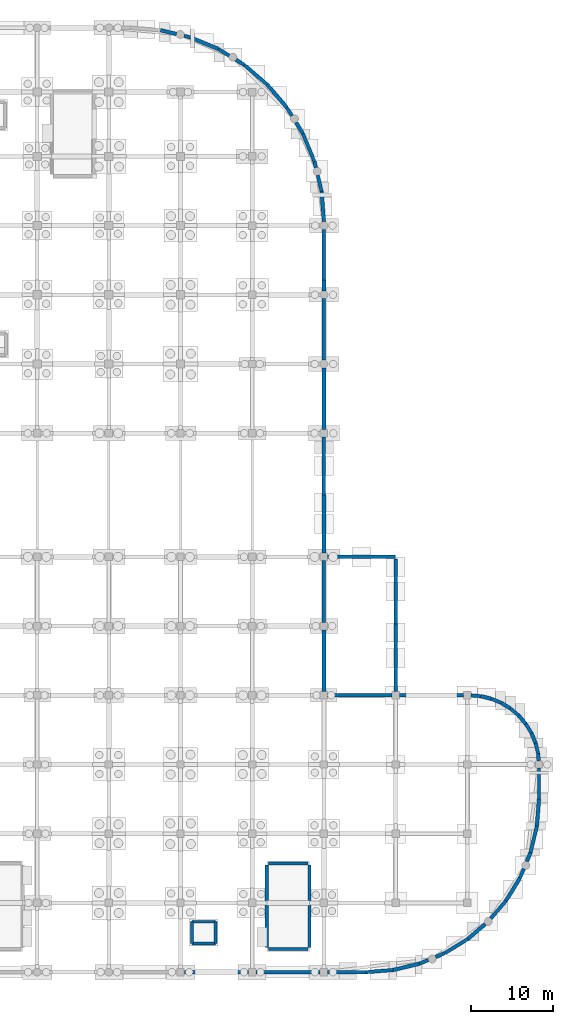
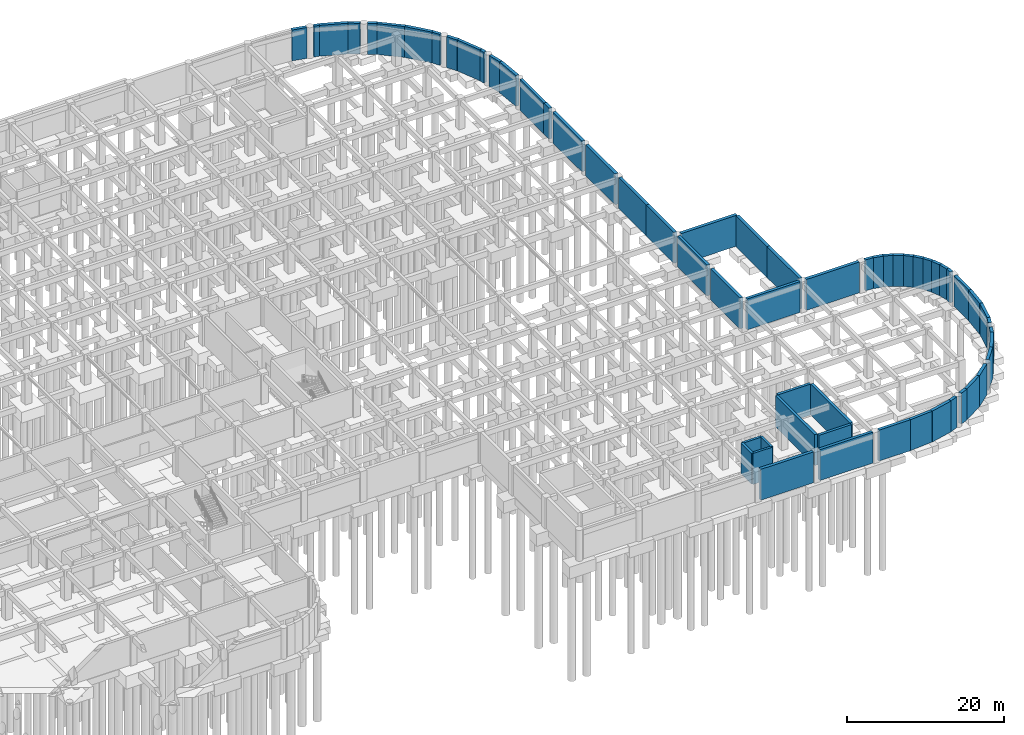
# One storey, part 28 of 33: 60 walls.
"""IFC4 building model written with IfcOpenShell, lengths in metres."""

from ifc_helpers import new_model, si_unit, derived_unit, direction, frame, frame_2d, origin, place, context, subcontext, project, spatial, rectangle, extrude, material, layer, layer_set, type_object, element, save


model = new_model("IFC4")

# Units and contexts
model_context = context("Model", 3, precision=1e-05, world=origin(), true_north=direction((0.0, 1.0)))
body_context = subcontext(model_context, "Body", "Model", "MODEL_VIEW")
ifc_project = project(units=[si_unit("LENGTHUNIT", "METRE"), si_unit("AREAUNIT", "SQUARE_METRE"), si_unit("VOLUMEUNIT", "CUBIC_METRE"), si_unit("PLANEANGLEUNIT", "RADIAN"), si_unit("MASSUNIT", "GRAM", prefix="KILO"), derived_unit("THERMALTRANSMITTANCEUNIT", [(si_unit("MASSUNIT", "GRAM", prefix="KILO"), 1), (si_unit("TIMEUNIT", "SECOND"), -3), (si_unit("THERMODYNAMICTEMPERATUREUNIT", "KELVIN"), -1)])], contexts=[model_context])

# Site, building, storey
site_placement = place(None, origin())
site = spatial("IfcSite", under=ifc_project, at=site_placement, CompositionType="ELEMENT")
building_placement = place(site_placement, origin())
building = spatial("IfcBuilding", under=site, at=building_placement, Name="Qinzheling Arcade Emporium", CompositionType="ELEMENT")
storey_placement = place(building_placement, frame((0.0, 0.0, -9.60009765625)))
storey = spatial("IfcBuildingStorey", under=building, at=storey_placement, Name="B2", CompositionType="ELEMENT", Elevation=-9.60009765625)

# Walls
ifc_material_1 = material(Name="Concrete C40", Category="concrete")
ifc_layer_1 = layer(ifc_material_1, 0.419921875, Name="Concrete C40", Category="concrete")
ifc_layer_set_1 = layer_set([ifc_layer_1], Name="Concrete C40")
wall_type_1 = type_object("IfcWallType", Name="Basement Ramp Retaining Wall 420 C40", PredefinedType="USERDEFINED", material=ifc_layer_set_1)
wall_1_placement = place(storey_placement, frame((130.930908203125, 113.6259765625, 0.0), z_axis=(0.0, 0.0, 1.0), x_axis=(0.972225005053, -0.234048156475, 0.0)))
element("IfcWall", 1, at=wall_1_placement, inside=storey, type_object=wall_type_1, Name="Retaining Wall WL-B2-RW-074", ObjectType="RETAININGWALL", PredefinedType="USERDEFINED", context=body_context, shape_type="SweptSolid", body=[
    extrude(rectangle(XDim=0.752197265625, YDim=0.419921875, at=frame_2d((0.3759765625, 0.0))), origin(), (0.0, 0.0, 1.0), 4.800048828125),
])
wall_2_placement = place(storey_placement, frame((135.069091796875, 112.0390625, 0.0), z_axis=(0.0, 0.0, 1.0), x_axis=(0.852643675321, -0.522492835296, 0.0)))
element("IfcWall", 2, at=wall_2_placement, inside=storey, type_object=wall_type_1, Name="Retaining Wall WL-B2-RW-076", ObjectType="RETAININGWALL", PredefinedType="USERDEFINED", context=body_context, shape_type="SweptSolid", body=[
    extrude(rectangle(XDim=1.5712890625, YDim=0.419921875, at=frame_2d((0.78564453125, 0.0))), origin(), (0.0, 0.0, 1.0), 4.800048828125),
])
wall_3_placement = place(storey_placement, frame((138.212890625, 110.112060546875, 0.0), z_axis=(0.0, 0.0, 1.0), x_axis=(0.76040500941, -0.649449167883, 0.0)))
element("IfcWall", 3, at=wall_3_placement, inside=storey, type_object=wall_type_1, Name="Retaining Wall WL-B2-RW-078", ObjectType="RETAININGWALL", PredefinedType="USERDEFINED", context=body_context, shape_type="SweptSolid", body=[
    extrude(rectangle(XDim=3.687744140625, YDim=0.419921875, at=frame_2d((1.84375, 0.0))), origin(), (0.0, 0.0, 1.0), 4.800048828125),
])
wall_4_placement = place(storey_placement, frame((143.412109375, 104.9130859375, 0.0), z_axis=(0.0, 0.0, 1.0), x_axis=(0.522665585531, -0.852537791363, 0.0)))
element("IfcWall", 4, at=wall_4_placement, inside=storey, type_object=wall_type_1, Name="Retaining Wall WL-B2-RW-080", ObjectType="RETAININGWALL", PredefinedType="USERDEFINED", context=body_context, shape_type="SweptSolid", body=[
    extrude(rectangle(XDim=1.1611328125, YDim=0.419921875, at=frame_2d((0.58056640625, 0.0))), origin(), (0.0, 0.0, 1.0), 4.800048828125),
])
wall_5_placement = place(storey_placement, frame((145.339111328125, 101.76904296875, 0.0), z_axis=(0.0, 0.0, 1.0), x_axis=(0.382607126693, -0.923911135664, 0.0)))
element("IfcWall", 5, at=wall_5_placement, inside=storey, type_object=wall_type_1, Name="Retaining Wall WL-B2-RW-082", ObjectType="RETAININGWALL", PredefinedType="USERDEFINED", context=body_context, shape_type="SweptSolid", body=[
    extrude(rectangle(XDim=3.6875, YDim=0.419921875, at=frame_2d((1.84375, 0.0))), origin(), (0.0, 0.0, 1.0), 4.800048828125),
])
wall_6_placement = place(storey_placement, frame((147.14794921875, 96.702880859375, 0.0), z_axis=(0.0, 0.0, 1.0), x_axis=(0.2336851003, -0.972312333511, 0.0)))
element("IfcWall", 6, at=wall_6_placement, inside=storey, type_object=wall_type_1, Name="Retaining Wall WL-B2-RW-084", ObjectType="RETAININGWALL", PredefinedType="USERDEFINED", context=body_context, shape_type="SweptSolid", body=[
    extrude(rectangle(XDim=1.98193359375, YDim=0.419921875, at=frame_2d((0.990966796875, 0.0))), origin(), (0.0, 0.0, 1.0), 4.800048828125),
])
wall_7_placement = place(storey_placement, frame((147.89990234375, 90.123046875, 0.0), z_axis=(0.0, 0.0, 1.0), x_axis=(0.0, -1.0, 0.0)))
element("IfcWall", 7, at=wall_7_placement, inside=storey, type_object=wall_type_1, Name="Retaining Wall WL-B2-RW-086", ObjectType="RETAININGWALL", PredefinedType="USERDEFINED", context=body_context, shape_type="SweptSolid", body=[
    extrude(rectangle(XDim=6.123046875, YDim=0.419921875, at=frame_2d((3.0615234375, 0.0))), origin(), (0.0, 0.0, 1.0), 4.800048828125),
])
wall_8_placement = place(storey_placement, frame((147.89990234375, 81.722900390625, 0.0), z_axis=(0.0, 0.0, 1.0), x_axis=(0.0, -1.0, 0.0)))
element("IfcWall", 8, at=wall_8_placement, inside=storey, type_object=wall_type_1, Name="Retaining Wall WL-B2-RW-088", ObjectType="RETAININGWALL", PredefinedType="USERDEFINED", context=body_context, shape_type="SweptSolid", body=[
    extrude(rectangle(XDim=7.44580078125, YDim=0.419921875, at=frame_2d((3.722900390625, 0.0))), origin(), (0.0, 0.0, 1.0), 4.800048828125),
])
wall_9_placement = place(storey_placement, frame((147.89990234375, 64.947998046875, 0.0), z_axis=(0.0, 0.0, 1.0), x_axis=(0.0, -1.0, 0.0)))
element("IfcWall", 9, at=wall_9_placement, inside=storey, type_object=wall_type_1, Name="Retaining Wall WL-B2-RW-090", ObjectType="RETAININGWALL", PredefinedType="USERDEFINED", context=body_context, shape_type="SweptSolid", body=[
    extrude(rectangle(XDim=7.0458984375, YDim=0.419921875, at=frame_2d((3.52294921875, 0.0))), origin(), (0.0, 0.0, 1.0), 4.800048828125),
])
wall_10_placement = place(storey_placement, frame((147.89990234375, 49.947998046875, 0.0), z_axis=(0.0, 0.0, 1.0), x_axis=(0.0, -1.0, 0.0)))
element("IfcWall", 10, at=wall_10_placement, inside=storey, type_object=wall_type_1, Name="Retaining Wall WL-B2-RW-092", ObjectType="RETAININGWALL", PredefinedType="USERDEFINED", context=body_context, shape_type="SweptSolid", body=[
    extrude(rectangle(XDim=7.49609375, YDim=0.419921875, at=frame_2d((3.748046875, 0.0))), origin(), (0.0, 0.0, 1.0), 4.800048828125),
])
wall_11_placement = place(storey_placement, frame((148.35205078125, 33.60009765625, 0.0), z_axis=(0.0, 0.0, 1.0), x_axis=(1.0, 0.0, 0.0)))
element("IfcWall", 11, at=wall_11_placement, inside=storey, type_object=wall_type_1, Name="Retaining Wall WL-B2-RW-094", ObjectType="RETAININGWALL", PredefinedType="USERDEFINED", context=body_context, shape_type="SweptSolid", body=[
    extrude(rectangle(XDim=7.7958984375, YDim=0.419921875, at=frame_2d((3.89794921875, 0.0))), origin(), (0.0, 0.0, 1.0), 4.800048828125),
])
wall_12_placement = place(storey_placement, frame((165.751953125, 33.587890625, 0.0), z_axis=(0.0, 0.0, 1.0), x_axis=(0.996960108053, -0.077913689117, 0.0)))
element("IfcWall", 12, at=wall_12_placement, inside=storey, type_object=wall_type_1, Name="Retaining Wall WL-B2-RW-096", ObjectType="RETAININGWALL", PredefinedType="USERDEFINED", context=body_context, shape_type="SweptSolid", body=[
    extrude(rectangle(XDim=1.165771484375, YDim=0.419921875, at=frame_2d((0.5830078125, 0.0))), origin(), (0.0, 0.0, 1.0), 4.800048828125),
])
for number, where, z_axis, x_axis, name in (
    (13, (168.196044921875, 33.18896484375, 0.0), (0.0, 0.0, 1.0), (0.923782055047, -0.382918679061, 0.0), "Retaining Wall WL-B2-RW-098"),
    (14, (170.537109375, 31.99609375, 0.0), (0.0, 0.0, 1.0), (0.760548893266, -0.649280664237, 0.0), "Retaining Wall WL-B2-RW-100"),
):
    element("IfcWall", number, at=place(storey_placement, frame(where, z_axis=z_axis, x_axis=x_axis)), inside=storey, type_object=wall_type_1, Name=name, ObjectType="RETAININGWALL", PredefinedType="USERDEFINED", context=body_context, shape_type="SweptSolid", body=[
        extrude(rectangle(XDim=1.318603515625, YDim=0.419921875, at=frame_2d((0.6591796875, 0.0))), origin(), (0.0, 0.0, 1.0), 4.800048828125),
    ])
wall_13_placement = place(storey_placement, frame((172.39599609375, 30.136962890625, 0.0), z_axis=(0.0, 0.0, 1.0), x_axis=(0.522379477954, -0.852713129378, 0.0)))
element("IfcWall", 15, at=wall_13_placement, inside=storey, type_object=wall_type_1, Name="Retaining Wall WL-B2-RW-102", ObjectType="RETAININGWALL", PredefinedType="USERDEFINED", context=body_context, shape_type="SweptSolid", body=[
    extrude(rectangle(XDim=1.317138671875, YDim=0.419921875, at=frame_2d((0.65869140625, 0.0))), origin(), (0.0, 0.0, 1.0), 4.800048828125),
])
wall_14_placement = place(storey_placement, frame((173.589111328125, 27.7958984375, 0.0), z_axis=(0.0, 0.0, 1.0), x_axis=(0.233506018754, -0.972355356444, 0.0)))
element("IfcWall", 16, at=wall_14_placement, inside=storey, type_object=wall_type_1, Name="Retaining Wall WL-B2-RW-104", ObjectType="RETAININGWALL", PredefinedType="USERDEFINED", context=body_context, shape_type="SweptSolid", body=[
    extrude(rectangle(XDim=1.318359375, YDim=0.419921875, at=frame_2d((0.6591796875, 0.0))), origin(), (0.0, 0.0, 1.0), 4.800048828125),
])
wall_15_placement = place(storey_placement, frame((174.0, 24.748046875, 0.0), z_axis=(0.0, 0.0, 1.0), x_axis=(0.0, -1.0, 0.0)))
element("IfcWall", 17, at=wall_15_placement, inside=storey, type_object=wall_type_1, Name="Retaining Wall WL-B2-RW-106", ObjectType="RETAININGWALL", PredefinedType="USERDEFINED", context=body_context, shape_type="SweptSolid", body=[
    extrude(rectangle(XDim=3.748046875, YDim=0.419921875, at=frame_2d((1.8740234375, 0.0))), origin(), (0.0, 0.0, 1.0), 4.800048828125),
])
wall_16_placement = place(storey_placement, frame((173.740966796875, 17.715087890625, 0.0), z_axis=(0.0, 0.0, 1.0), x_axis=(-0.233389766054, -0.972383266568, 0.0)))
element("IfcWall", 18, at=wall_16_placement, inside=storey, type_object=wall_type_1, Name="Retaining Wall WL-B2-RW-108", ObjectType="RETAININGWALL", PredefinedType="USERDEFINED", context=body_context, shape_type="SweptSolid", body=[
    extrude(rectangle(XDim=3.295166015625, YDim=0.419921875, at=frame_2d((1.6474609375, 0.0))), origin(), (0.0, 0.0, 1.0), 4.800048828125),
])
wall_17_placement = place(storey_placement, frame((172.158935546875, 12.548095703125, 0.0), z_axis=(0.0, 0.0, 1.0), x_axis=(-0.382542052981, -0.923938081097, 0.0)))
element("IfcWall", 19, at=wall_17_placement, inside=storey, type_object=wall_type_1, Name="Retaining Wall WL-B2-RW-110", ObjectType="RETAININGWALL", PredefinedType="USERDEFINED", context=body_context, shape_type="SweptSolid", body=[
    extrude(rectangle(XDim=1.171142578125, YDim=0.419921875, at=frame_2d((0.58544921875, 0.0))), origin(), (0.0, 0.0, 1.0), 4.800048828125),
])
wall_18_placement = place(storey_placement, frame((169.989013671875, 8.656982421875, 0.0), z_axis=(0.0, 0.0, 1.0), x_axis=(-0.649391930652, -0.760453891044, 0.0)))
element("IfcWall", 20, at=wall_18_placement, inside=storey, type_object=wall_type_1, Name="Retaining Wall WL-B2-RW-112", ObjectType="RETAININGWALL", PredefinedType="USERDEFINED", context=body_context, shape_type="SweptSolid", body=[
    extrude(rectangle(XDim=2.818115234375, YDim=0.419921875, at=frame_2d((1.4091796875, 0.0))), origin(), (0.0, 0.0, 1.0), 4.800048828125),
])
wall_19_placement = place(storey_placement, frame((165.343017578125, 4.010986328125, 0.0), z_axis=(0.0, 0.0, 1.0), x_axis=(-0.852570367458, -0.522612445827, 0.0)))
element("IfcWall", 21, at=wall_19_placement, inside=storey, type_object=wall_type_1, Name="Retaining Wall WL-B2-RW-114", ObjectType="RETAININGWALL", PredefinedType="USERDEFINED", context=body_context, shape_type="SweptSolid", body=[
    extrude(rectangle(XDim=3.294921875, YDim=0.419921875, at=frame_2d((1.6474609375, 0.0))), origin(), (0.0, 0.0, 1.0), 4.800048828125),
])
wall_20_placement = place(storey_placement, frame((160.571044921875, 1.47607421875, 0.0), z_axis=(0.0, 0.0, 1.0), x_axis=(-0.923938081097, -0.382542052981, 0.0)))
element("IfcWall", 22, at=wall_20_placement, inside=storey, type_object=wall_type_1, Name="Retaining Wall WL-B2-RW-116", ObjectType="RETAININGWALL", PredefinedType="USERDEFINED", context=body_context, shape_type="SweptSolid", body=[
    extrude(rectangle(XDim=1.171142578125, YDim=0.419921875, at=frame_2d((0.58544921875, 0.0))), origin(), (0.0, 0.0, 1.0), 4.800048828125),
])
wall_21_placement = place(storey_placement, frame((156.284912109375, 0.259033203125, 0.0), z_axis=(0.0, 0.0, 1.0), x_axis=(-0.996905334408, -0.078611412843, 0.0)))
element("IfcWall", 23, at=wall_21_placement, inside=storey, type_object=wall_type_1, Name="Retaining Wall WL-B2-RW-118", ObjectType="RETAININGWALL", PredefinedType="USERDEFINED", context=body_context, shape_type="SweptSolid", body=[
    extrude(rectangle(XDim=3.295166015625, YDim=0.419921875, at=frame_2d((1.6474609375, 0.0))), origin(), (0.0, 0.0, 1.0), 4.800048828125),
])
wall_22_placement = place(storey_placement, frame((147.447998046875, 0.0, 0.0), z_axis=(0.0, 0.0, 1.0), x_axis=(-1.0, 0.0, 0.0)))
element("IfcWall", 24, at=wall_22_placement, inside=storey, type_object=wall_type_1, Name="Retaining Wall WL-B2-RW-120", ObjectType="RETAININGWALL", PredefinedType="USERDEFINED", context=body_context, shape_type="SweptSolid", body=[
    extrude(rectangle(XDim=7.7958984375, YDim=0.419921875, at=frame_2d((3.89794921875, 0.0))), origin(), (0.0, 0.0, 1.0), 4.800048828125),
])
ifc_layer_2 = layer(ifc_material_1, 0.35009765625, Name="Concrete C40", Category="concrete")
ifc_layer_set_2 = layer_set([ifc_layer_2], Name="Concrete C40")
wall_type_2 = type_object("IfcWallType", Name="RC Lift Shaft Shear Wall 350 C40", PredefinedType="SHEAR", material=ifc_layer_set_2)
for number, where, z_axis, x_axis, name in (
    (25, (131.875, 6.125, 0.0), (0.0, 0.0, 1.0), (1.0, 0.0, 0.0), "Lift Shaft Wall WL-B2-LFT-LP05-N"),
    (26, (134.72509765625, 3.47509765625, 0.0), (0.0, 0.0, 1.0), (-1.0, 0.0, 0.0), "Lift Shaft Wall WL-B2-LFT-LP05-S"),
):
    element("IfcWall", number, at=place(storey_placement, frame(where, z_axis=z_axis, x_axis=x_axis)), inside=storey, type_object=wall_type_2, Name=name, PredefinedType="SHEAR", context=body_context, shape_type="SweptSolid", body=[
        extrude(rectangle(XDim=2.85009765625, YDim=0.35009765625, at=frame_2d((1.425048828125, 0.0))), origin(), (0.0, 0.0, 1.0), 4.800048828125),
    ])
for number, where, z_axis, x_axis, name in (
    (27, (131.875, 3.47509765625, 0.0), (0.0, 0.0, 1.0), (0.0, 1.0, 0.0), "Lift Shaft Wall WL-B2-LFT-LP05-W"),
    (28, (134.72509765625, 6.125, 0.0), (0.0, 0.0, 1.0), (0.0, -1.0, 0.0), "Lift Shaft Wall WL-B2-LFT-LP05-E"),
):
    element("IfcWall", number, at=place(storey_placement, frame(where, z_axis=z_axis, x_axis=x_axis)), inside=storey, type_object=wall_type_2, Name=name, PredefinedType="SHEAR", context=body_context, shape_type="SweptSolid", body=[
        extrude(rectangle(XDim=2.64990234375, YDim=0.35009765625, at=frame_2d((1.324951171875, 0.0))), origin(), (0.0, 0.0, 1.0), 4.800048828125),
    ])
ifc_material_2 = material(Name="Concrete C50", Category="concrete")
ifc_layer_3 = layer(ifc_material_2, 0.39990234375, Name="Concrete C50", Category="concrete")
ifc_layer_set_3 = layer_set([ifc_layer_3], Name="Concrete C50")
wall_type_3 = type_object("IfcWallType", Name="RC Stair Core Shear Wall 400 C50", PredefinedType="SHEAR", material=ifc_layer_set_3)
for number, where, z_axis, x_axis, name in (
    (29, (140.955078125, 3.0, 0.0), (0.0, 0.0, 1.0), (0.0, 1.0, 0.0), "Stair Core Wall WL-B2-ST06-WEST"),
    (30, (146.14501953125, 13.0, 0.0), (0.0, 0.0, 1.0), (0.0, -1.0, 0.0), "Stair Core Wall WL-B2-ST06-EAST"),
):
    element("IfcWall", number, at=place(storey_placement, frame(where, z_axis=z_axis, x_axis=x_axis)), inside=storey, type_object=wall_type_3, Name=name, PredefinedType="SHEAR", context=body_context, shape_type="SweptSolid", body=[
        extrude(rectangle(XDim=10.0, YDim=0.39990234375, at=frame_2d((5.0, 0.0))), origin(), (0.0, 0.0, 1.0), 4.800048828125),
    ])
for number, where, z_axis, x_axis, name in (
    (31, (145.945068359375, 2.800048828125, 0.0), (0.0, 0.0, 1.0), (-1.0, 0.0, 0.0), "Stair Core Wall WL-B2-ST06-SOUTH"),
    (32, (141.155029296875, 13.199951171875, 0.0), (0.0, 0.0, 1.0), (1.0, 0.0, 0.0), "Stair Core Wall WL-B2-ST06-NORTH"),
):
    element("IfcWall", number, at=place(storey_placement, frame(where, z_axis=z_axis, x_axis=x_axis)), inside=storey, type_object=wall_type_3, Name=name, PredefinedType="SHEAR", context=body_context, shape_type="SweptSolid", body=[
        extrude(rectangle(XDim=4.7900390625, YDim=0.39990234375, at=frame_2d((2.39501953125, 0.0))), origin(), (0.0, 0.0, 1.0), 4.800048828125),
    ])
ifc_layer_4 = layer(ifc_material_1, 0.449951171875, Name="Concrete C40", Category="concrete")
ifc_layer_set_4 = layer_set([ifc_layer_4], Name="Concrete C40")
wall_type_4 = type_object("IfcWallType", Name="Waterproof Basement Retaining Wall 450 C40", PredefinedType="USERDEFINED", material=ifc_layer_set_4)
wall_23_placement = place(storey_placement, frame((128.075927734375, 114.31103515625, 0.0), z_axis=(0.0, 0.0, 1.0), x_axis=(0.972312333511, -0.2336851003, 0.0)))
element("IfcWall", 33, at=wall_23_placement, inside=storey, type_object=wall_type_4, Name="Retaining Wall WL-B2-RW-073", ObjectType="RETAININGWALL", PredefinedType="USERDEFINED", context=body_context, shape_type="SweptSolid", body=[
    extrude(rectangle(XDim=1.98193359375, YDim=0.449951171875, at=frame_2d((0.990966796875, 0.0))), origin(), (0.0, 0.0, 1.0), 4.800048828125),
])
wall_24_placement = place(storey_placement, frame((131.662109375, 113.449951171875, 0.0), z_axis=(0.0, 0.0, 1.0), x_axis=(0.923911135664, -0.382607126693, 0.0)))
element("IfcWall", 34, at=wall_24_placement, inside=storey, type_object=wall_type_4, Name="Retaining Wall WL-B2-RW-075", ObjectType="RETAININGWALL", PredefinedType="USERDEFINED", context=body_context, shape_type="SweptSolid", body=[
    extrude(rectangle(XDim=3.6875, YDim=0.449951171875, at=frame_2d((1.84375, 0.0))), origin(), (0.0, 0.0, 1.0), 4.800048828125),
])
wall_25_placement = place(storey_placement, frame((137.222900390625, 110.718994140625, 0.0), z_axis=(0.0, 0.0, 1.0), x_axis=(0.852537791363, -0.522665585531, 0.0)))
element("IfcWall", 35, at=wall_25_placement, inside=storey, type_object=wall_type_4, Name="Retaining Wall WL-B2-RW-077", ObjectType="RETAININGWALL", PredefinedType="USERDEFINED", context=body_context, shape_type="SweptSolid", body=[
    extrude(rectangle(XDim=1.1611328125, YDim=0.449951171875, at=frame_2d((0.58056640625, 0.0))), origin(), (0.0, 0.0, 1.0), 4.800048828125),
])
wall_26_placement = place(storey_placement, frame((141.01708984375, 107.717041015625, 0.0), z_axis=(0.0, 0.0, 1.0), x_axis=(0.649481862796, -0.760377084018, 0.0)))
element("IfcWall", 36, at=wall_26_placement, inside=storey, type_object=wall_type_4, Name="Retaining Wall WL-B2-RW-079", ObjectType="RETAININGWALL", PredefinedType="USERDEFINED", context=body_context, shape_type="SweptSolid", body=[
    extrude(rectangle(XDim=3.6875, YDim=0.449951171875, at=frame_2d((1.84375, 0.0))), origin(), (0.0, 0.0, 1.0), 4.800048828125),
])
wall_27_placement = place(storey_placement, frame((144.51806640625, 103.10888671875, 0.0), z_axis=(0.0, 0.0, 1.0), x_axis=(0.522492835296, -0.852643675321, 0.0)))
element("IfcWall", 37, at=wall_27_placement, inside=storey, type_object=wall_type_4, Name="Retaining Wall WL-B2-RW-081", ObjectType="RETAININGWALL", PredefinedType="USERDEFINED", context=body_context, shape_type="SweptSolid", body=[
    extrude(rectangle(XDim=1.5712890625, YDim=0.449951171875, at=frame_2d((0.78564453125, 0.0))), origin(), (0.0, 0.0, 1.0), 4.800048828125),
])
wall_28_placement = place(storey_placement, frame((146.75, 98.362060546875, 0.0), z_axis=(0.0, 0.0, 1.0), x_axis=(0.234122044674, -0.97220721464, 0.0)))
element("IfcWall", 38, at=wall_28_placement, inside=storey, type_object=wall_type_4, Name="Retaining Wall WL-B2-RW-083", ObjectType="RETAININGWALL", PredefinedType="USERDEFINED", context=body_context, shape_type="SweptSolid", body=[
    extrude(rectangle(XDim=0.751953125, YDim=0.449951171875, at=frame_2d((0.3759765625, 0.0))), origin(), (0.0, 0.0, 1.0), 4.800048828125),
])
wall_29_placement = place(storey_placement, frame((147.611083984375, 94.77587890625, 0.0), z_axis=(0.0, 0.0, 1.0), x_axis=(0.078478644017, -0.996915795057, 0.0)))
element("IfcWall", 39, at=wall_29_placement, inside=storey, type_object=wall_type_4, Name="Retaining Wall WL-B2-RW-085", ObjectType="RETAININGWALL", PredefinedType="USERDEFINED", context=body_context, shape_type="SweptSolid", body=[
    extrude(rectangle(XDim=3.708251953125, YDim=0.449951171875, at=frame_2d((1.85400390625, 0.0))), origin(), (0.0, 0.0, 1.0), 4.800048828125),
])
wall_30_placement = place(storey_placement, frame((147.89990234375, 84.0, 0.0), z_axis=(0.0, 0.0, 1.0), x_axis=(0.0, -1.0, 0.0)))
element("IfcWall", 40, at=wall_30_placement, inside=storey, type_object=wall_type_4, Name="Retaining Wall WL-B2-RW-087", ObjectType="RETAININGWALL", PredefinedType="USERDEFINED", context=body_context, shape_type="SweptSolid", body=[
    extrude(rectangle(XDim=1.322998046875, YDim=0.449951171875, at=frame_2d((0.66162109375, 0.0))), origin(), (0.0, 0.0, 1.0), 4.800048828125),
])
wall_31_placement = place(storey_placement, frame((147.89990234375, 73.322998046875, 0.0), z_axis=(0.0, 0.0, 1.0), x_axis=(0.0, -1.0, 0.0)))
element("IfcWall", 41, at=wall_31_placement, inside=storey, type_object=wall_type_4, Name="Retaining Wall WL-B2-RW-089", ObjectType="RETAININGWALL", PredefinedType="USERDEFINED", context=body_context, shape_type="SweptSolid", body=[
    extrude(rectangle(XDim=7.470947265625, YDim=0.449951171875, at=frame_2d((3.7353515625, 0.0))), origin(), (0.0, 0.0, 1.0), 4.800048828125),
])
wall_32_placement = place(storey_placement, frame((147.89990234375, 57.89794921875, 0.0), z_axis=(0.0, 0.0, 1.0), x_axis=(0.0, -1.0, 0.0)))
element("IfcWall", 42, at=wall_32_placement, inside=storey, type_object=wall_type_4, Name="Retaining Wall WL-B2-RW-091", ObjectType="RETAININGWALL", PredefinedType="USERDEFINED", context=body_context, shape_type="SweptSolid", body=[
    extrude(rectangle(XDim=7.0458984375, YDim=0.449951171875, at=frame_2d((3.52294921875, 0.0))), origin(), (0.0, 0.0, 1.0), 4.800048828125),
])
wall_33_placement = place(storey_placement, frame((147.89990234375, 41.548095703125, 0.0), z_axis=(0.0, 0.0, 1.0), x_axis=(0.0, -1.0, 0.0)))
element("IfcWall", 43, at=wall_33_placement, inside=storey, type_object=wall_type_4, Name="Retaining Wall WL-B2-RW-093", ObjectType="RETAININGWALL", PredefinedType="USERDEFINED", context=body_context, shape_type="SweptSolid", body=[
    extrude(rectangle(XDim=7.49609375, YDim=0.449951171875, at=frame_2d((3.748046875, 0.0))), origin(), (0.0, 0.0, 1.0), 4.800048828125),
])
wall_34_placement = place(storey_placement, frame((157.052001953125, 33.60009765625, 0.0), z_axis=(0.0, 0.0, 1.0), x_axis=(1.0, 0.0, 0.0)))
element("IfcWall", 44, at=wall_34_placement, inside=storey, type_object=wall_type_4, Name="Retaining Wall WL-B2-RW-095", ObjectType="RETAININGWALL", PredefinedType="USERDEFINED", context=body_context, shape_type="SweptSolid", body=[
    extrude(rectangle(XDim=7.7958984375, YDim=0.449951171875, at=frame_2d((3.89794921875, 0.0))), origin(), (0.0, 0.0, 1.0), 4.800048828125),
])
wall_35_placement = place(storey_placement, frame((166.9140625, 33.4970703125, 0.0), z_axis=(0.0, 0.0, 1.0), x_axis=(0.972313298303, -0.233681085976, 0.0)))
element("IfcWall", 45, at=wall_35_placement, inside=storey, type_object=wall_type_4, Name="Retaining Wall WL-B2-RW-097", ObjectType="RETAININGWALL", PredefinedType="USERDEFINED", context=body_context, shape_type="SweptSolid", body=[
    extrude(rectangle(XDim=1.318603515625, YDim=0.449951171875, at=frame_2d((0.6591796875, 0.0))), origin(), (0.0, 0.0, 1.0), 4.800048828125),
])
wall_36_placement = place(storey_placement, frame((169.4140625, 32.68408203125, 0.0), z_axis=(0.0, 0.0, 1.0), x_axis=(0.852713129378, -0.522379477954, 0.0)))
element("IfcWall", 46, at=wall_36_placement, inside=storey, type_object=wall_type_4, Name="Retaining Wall WL-B2-RW-099", ObjectType="RETAININGWALL", PredefinedType="USERDEFINED", context=body_context, shape_type="SweptSolid", body=[
    extrude(rectangle(XDim=1.317138671875, YDim=0.449951171875, at=frame_2d((0.65869140625, 0.0))), origin(), (0.0, 0.0, 1.0), 4.800048828125),
])
for number, where, z_axis, x_axis, name in (
    (47, (171.5400390625, 31.139892578125, 0.0), (0.0, 0.0, 1.0), (0.649173554417, -0.760640319893, 0.0), "Retaining Wall WL-B2-RW-101"),
    (48, (173.083984375, 29.013916015625, 0.0), (0.0, 0.0, 1.0), (0.383076676071, -0.923716547568, 0.0), "Retaining Wall WL-B2-RW-103"),
):
    element("IfcWall", number, at=place(storey_placement, frame(where, z_axis=z_axis, x_axis=x_axis)), inside=storey, type_object=wall_type_4, Name=name, ObjectType="RETAININGWALL", PredefinedType="USERDEFINED", context=body_context, shape_type="SweptSolid", body=[
        extrude(rectangle(XDim=1.318603515625, YDim=0.449951171875, at=frame_2d((0.6591796875, 0.0))), origin(), (0.0, 0.0, 1.0), 4.800048828125),
    ])
wall_37_placement = place(storey_placement, frame((173.89697265625, 26.513916015625, 0.0), z_axis=(0.0, 0.0, 1.0), x_axis=(0.078680359479, -0.996899895191, 0.0)))
element("IfcWall", 49, at=wall_37_placement, inside=storey, type_object=wall_type_4, Name="Retaining Wall WL-B2-RW-105", ObjectType="RETAININGWALL", PredefinedType="USERDEFINED", context=body_context, shape_type="SweptSolid", body=[
    extrude(rectangle(XDim=0.86572265625, YDim=0.449951171875, at=frame_2d((0.432861328125, 0.0))), origin(), (0.0, 0.0, 1.0), 4.800048828125),
])
wall_38_placement = place(storey_placement, frame((174.0, 21.0, 0.0), z_axis=(0.0, 0.0, 1.0), x_axis=(-0.078611412843, -0.996905334408, 0.0)))
element("IfcWall", 50, at=wall_38_placement, inside=storey, type_object=wall_type_4, Name="Retaining Wall WL-B2-RW-107", ObjectType="RETAININGWALL", PredefinedType="USERDEFINED", context=body_context, shape_type="SweptSolid", body=[
    extrude(rectangle(XDim=3.295166015625, YDim=0.449951171875, at=frame_2d((1.6474609375, 0.0))), origin(), (0.0, 0.0, 1.0), 4.800048828125),
])
wall_39_placement = place(storey_placement, frame((172.971923828125, 14.510986328125, 0.0), z_axis=(0.0, 0.0, 1.0), x_axis=(-0.382542052981, -0.923938081097, 0.0)))
element("IfcWall", 51, at=wall_39_placement, inside=storey, type_object=wall_type_4, Name="Retaining Wall WL-B2-RW-109", ObjectType="RETAININGWALL", PredefinedType="USERDEFINED", context=body_context, shape_type="SweptSolid", body=[
    extrude(rectangle(XDim=1.171142578125, YDim=0.449951171875, at=frame_2d((0.58544921875, 0.0))), origin(), (0.0, 0.0, 1.0), 4.800048828125),
])
wall_40_placement = place(storey_placement, frame((171.7109375, 11.466064453125, 0.0), z_axis=(0.0, 0.0, 1.0), x_axis=(-0.522612445827, -0.852570367458, 0.0)))
element("IfcWall", 52, at=wall_40_placement, inside=storey, type_object=wall_type_4, Name="Retaining Wall WL-B2-RW-111", ObjectType="RETAININGWALL", PredefinedType="USERDEFINED", context=body_context, shape_type="SweptSolid", body=[
    extrude(rectangle(XDim=3.294921875, YDim=0.449951171875, at=frame_2d((1.6474609375, 0.0))), origin(), (0.0, 0.0, 1.0), 4.800048828125),
])
wall_41_placement = place(storey_placement, frame((167.486083984375, 5.841064453125, 0.0), z_axis=(0.0, 0.0, 1.0), x_axis=(-0.760453891044, -0.649391930652, 0.0)))
element("IfcWall", 53, at=wall_41_placement, inside=storey, type_object=wall_type_4, Name="Retaining Wall WL-B2-RW-113", ObjectType="RETAININGWALL", PredefinedType="USERDEFINED", context=body_context, shape_type="SweptSolid", body=[
    extrude(rectangle(XDim=2.818115234375, YDim=0.449951171875, at=frame_2d((1.4091796875, 0.0))), origin(), (0.0, 0.0, 1.0), 4.800048828125),
])
wall_42_placement = place(storey_placement, frame((162.533935546875, 2.2890625, 0.0), z_axis=(0.0, 0.0, 1.0), x_axis=(-0.923938081097, -0.382542052981, 0.0)))
element("IfcWall", 54, at=wall_42_placement, inside=storey, type_object=wall_type_4, Name="Retaining Wall WL-B2-RW-115", ObjectType="RETAININGWALL", PredefinedType="USERDEFINED", context=body_context, shape_type="SweptSolid", body=[
    extrude(rectangle(XDim=1.171142578125, YDim=0.449951171875, at=frame_2d((0.58544921875, 0.0))), origin(), (0.0, 0.0, 1.0), 4.800048828125),
])
wall_43_placement = place(storey_placement, frame((159.489013671875, 1.028076171875, 0.0), z_axis=(0.0, 0.0, 1.0), x_axis=(-0.972383266568, -0.233389766054, 0.0)))
element("IfcWall", 55, at=wall_43_placement, inside=storey, type_object=wall_type_4, Name="Retaining Wall WL-B2-RW-117", ObjectType="RETAININGWALL", PredefinedType="USERDEFINED", context=body_context, shape_type="SweptSolid", body=[
    extrude(rectangle(XDim=3.295166015625, YDim=0.449951171875, at=frame_2d((1.6474609375, 0.0))), origin(), (0.0, 0.0, 1.0), 4.800048828125),
])
wall_44_placement = place(storey_placement, frame((153.0, 0.0, 0.0), z_axis=(0.0, 0.0, 1.0), x_axis=(-1.0, 0.0, 0.0)))
element("IfcWall", 56, at=wall_44_placement, inside=storey, type_object=wall_type_4, Name="Retaining Wall WL-B2-RW-119", ObjectType="RETAININGWALL", PredefinedType="USERDEFINED", context=body_context, shape_type="SweptSolid", body=[
    extrude(rectangle(XDim=4.64794921875, YDim=0.449951171875, at=frame_2d((2.323974609375, 0.0))), origin(), (0.0, 0.0, 1.0), 4.800048828125),
])
wall_45_placement = place(storey_placement, frame((138.748046875, 0.0, 0.0), z_axis=(0.0, 0.0, 1.0), x_axis=(-1.0, 0.0, 0.0)))
element("IfcWall", 57, at=wall_45_placement, inside=storey, type_object=wall_type_4, Name="Retaining Wall WL-B2-RW-121", ObjectType="RETAININGWALL", PredefinedType="USERDEFINED", context=body_context, shape_type="SweptSolid", body=[
    extrude(rectangle(XDim=7.796142578125, YDim=0.449951171875, at=frame_2d((3.89794921875, 0.0))), origin(), (0.0, 0.0, 1.0), 4.800048828125),
])
wall_46_placement = place(storey_placement, frame((148.35205078125, 50.39990234375, 0.0), z_axis=(0.0, 0.0, 1.0), x_axis=(1.0, 0.0, 0.0)))
element("IfcWall", 58, at=wall_46_placement, inside=storey, type_object=wall_type_4, Name="Hillside Plinth Foundation Wall WL-B2-RW-333", ObjectType="RETAININGWALL", PredefinedType="USERDEFINED", context=body_context, shape_type="SweptSolid", body=[
    extrude(rectangle(XDim=8.248046875, YDim=0.449951171875, at=frame_2d((4.1240234375, 0.0))), origin(), (0.0, 0.0, 1.0), 4.800048828125),
])
wall_47_placement = place(storey_placement, frame((156.60009765625, 50.135009765625, 0.0), z_axis=(0.0, 0.0, 1.0), x_axis=(0.0, -1.0, 0.0)))
element("IfcWall", 59, at=wall_47_placement, inside=storey, type_object=wall_type_4, Name="Hillside Plinth Foundation Wall WL-B2-RW-335", ObjectType="RETAININGWALL", PredefinedType="USERDEFINED", context=body_context, shape_type="SweptSolid", body=[
    extrude(rectangle(XDim=7.906982421875, YDim=0.449951171875, at=frame_2d((3.95361328125, 0.0))), origin(), (0.0, 0.0, 1.0), 4.800048828125),
])
wall_48_placement = place(storey_placement, frame((156.60009765625, 42.22412109375, 0.0), z_axis=(0.0, 0.0, 1.0), x_axis=(0.0, -1.0, 0.0)))
element("IfcWall", 60, at=wall_48_placement, inside=storey, type_object=wall_type_4, Name="Hillside Plinth Foundation Wall WL-B2-RW-336", ObjectType="RETAININGWALL", PredefinedType="USERDEFINED", context=body_context, shape_type="SweptSolid", body=[
    extrude(rectangle(XDim=8.172119140625, YDim=0.449951171875, at=frame_2d((4.0859375, 0.0))), origin(), (0.0, 0.0, 1.0), 4.800048828125),
])

save(model, "model.ifc")
